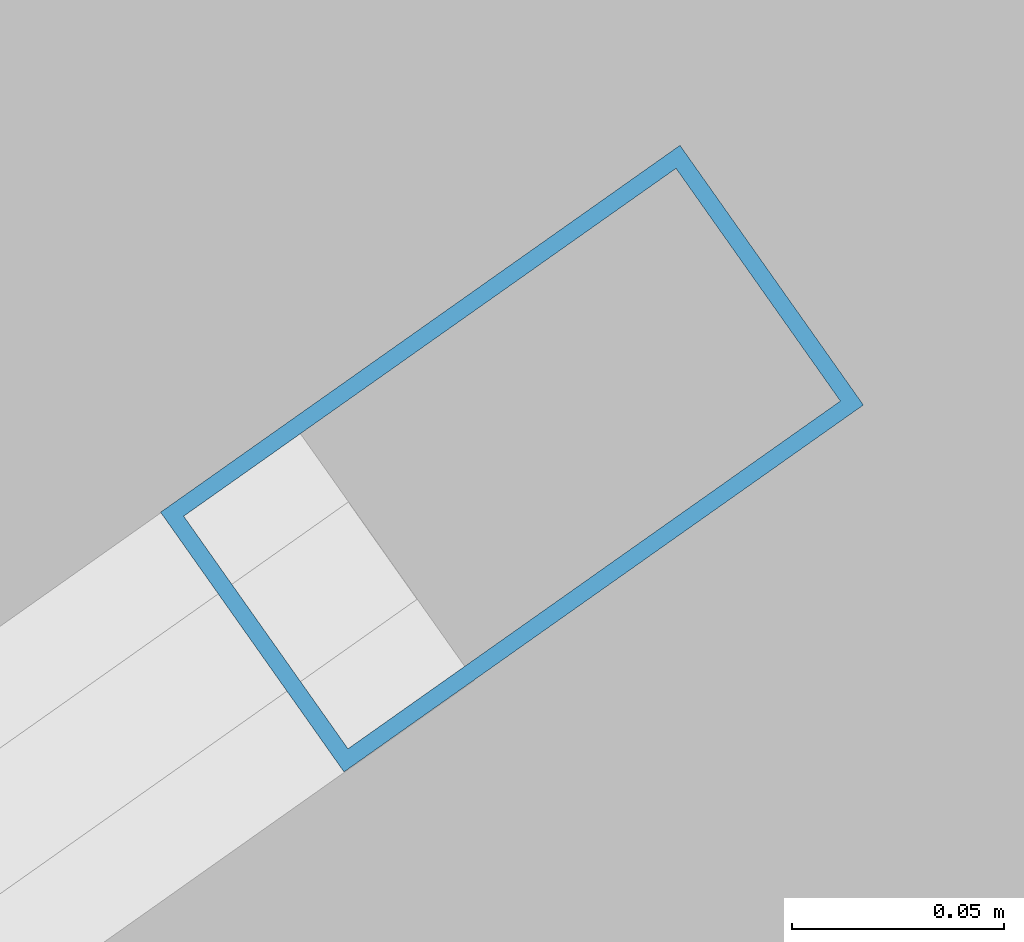
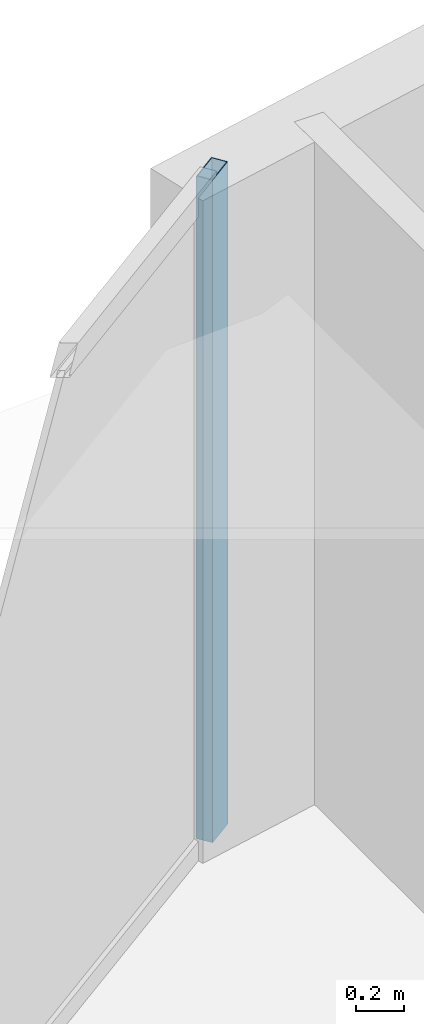
# One storey, part 17 of 31: 1 member, 1 element without a shape of its own.
"""IFC4 building model written with IfcOpenShell, lengths in metres."""

from ifc_helpers import new_model, si_unit, direction, frame, origin, origin_2d, place, context, subcontext, project, spatial, hollow_rectangle, extrude, material, layer, layer_set, material_profile, profile_set, type_object, element, aggregate, save


model = new_model("IFC4")

# Units and contexts
model_context = context("Model", 3, precision=1e-05, world=origin(), true_north=direction((0.0, 1.0)))
body_context = subcontext(model_context, "Body", "Model", "MODEL_VIEW")
ifc_project = project(units=[si_unit("LENGTHUNIT", "METRE"), si_unit("AREAUNIT", "SQUARE_METRE"), si_unit("VOLUMEUNIT", "CUBIC_METRE"), si_unit("PLANEANGLEUNIT", "RADIAN"), si_unit("MASSUNIT", "GRAM", prefix="KILO")], contexts=[model_context])

# Site, building, storey
site_placement = place(None, origin())
site = spatial("IfcSite", under=ifc_project, at=site_placement, CompositionType="ELEMENT")
building_placement = place(site_placement, origin())
building = spatial("IfcBuilding", under=site, at=building_placement, Name="Kazevale Care Tower and Concert Hall", CompositionType="ELEMENT")
storey_placement = place(building_placement, frame((0.0, 0.0, 63.60009765625)))
storey = spatial("IfcBuildingStorey", under=building, at=storey_placement, Name="L16", CompositionType="ELEMENT", Elevation=63.60009765625)

# Curtain wall, member
ifc_material_1 = material(Name="Aluminium 6063-T6 and Low-E Glass", Category="aluminium")
ifc_layer = layer(ifc_material_1, 0.179931640625)
ifc_layer_set = layer_set([ifc_layer], Name="Aluminium 6063-T6 and Low-E Glass")
curtain_wall_type = type_object("IfcCurtainWallType", Name="Convex Recessed Sunroom Curtain Wall CW-3", PredefinedType="NOTDEFINED", material=ifc_layer_set)
curtain_wall_placement = place(storey_placement, origin())
curtain_wall = element("IfcCurtainWall", 1, at=curtain_wall_placement, inside=storey, type_object=curtain_wall_type, Name="cw:L16:f14", PredefinedType="NOTDEFINED")
ifc_material_2 = material(Name="Aluminium 6063-T6", Category="aluminium")
ifc_material_profile = material_profile(ifc_material_2, hollow_rectangle(XDim=0.074951171875, YDim=0.14990234375, WallThickness=0.00390625, at=origin_2d()), Name="ALU75x150x4")
ifc_profile_set = profile_set([ifc_material_profile], Name="Aluminium 6063-T6")
member_type = type_object("IfcMemberType", Name="CW-3 Mullion ALU75x150x4", PredefinedType="MULLION", material=ifc_profile_set)
member_placement = place(storey_placement, frame((25.96435546875, 61.17041015625, 0.0), z_axis=(0.0, 0.0, 1.0), x_axis=(-0.57692895392, 0.816794332821, 0.0)))
member = element("IfcMember", 2, at=member_placement, type_object=member_type, Name="CW-3 mullion 2", PredefinedType="MULLION", context=body_context, shape_type="SweptSolid", body=[
    extrude(hollow_rectangle(XDim=0.074951171875, YDim=0.14990234375, WallThickness=0.00390625, at=origin_2d()), origin(), (0.0, 0.0, 1.0), 3.35986328125),
])
aggregate(curtain_wall, [member])

save(model, "model.ifc")
